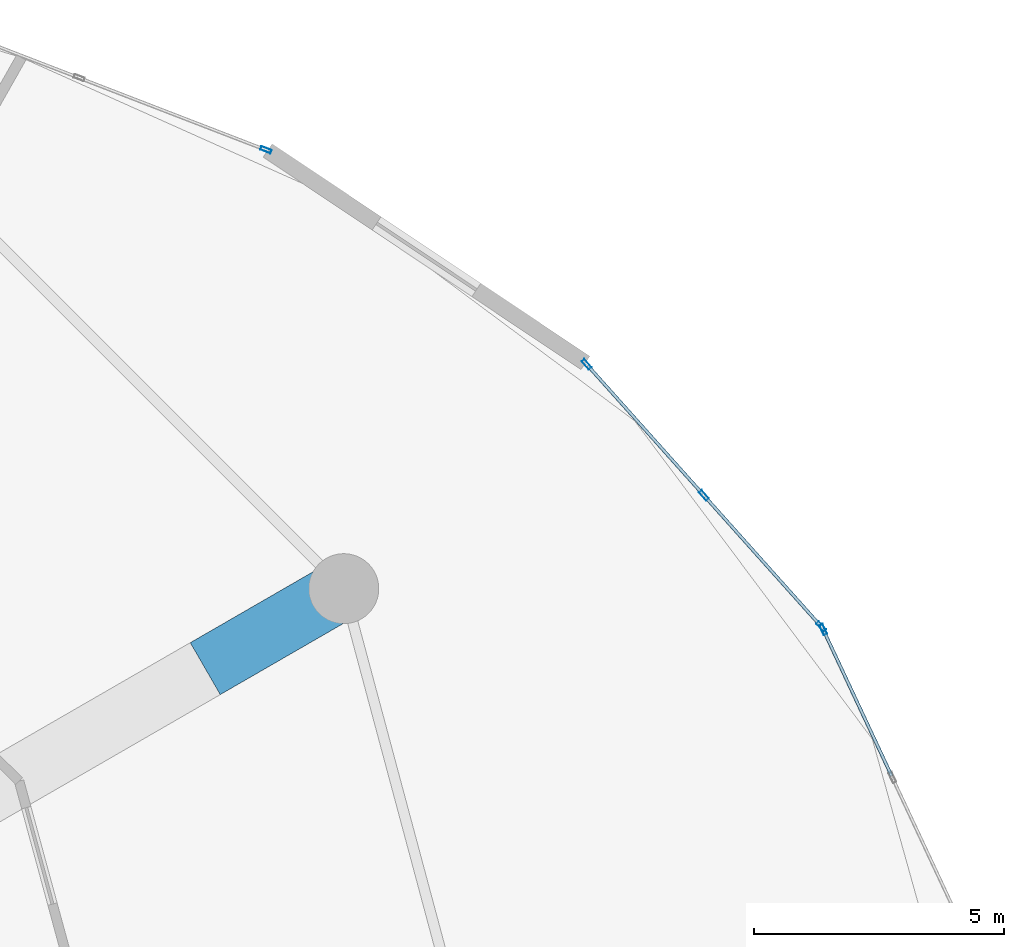
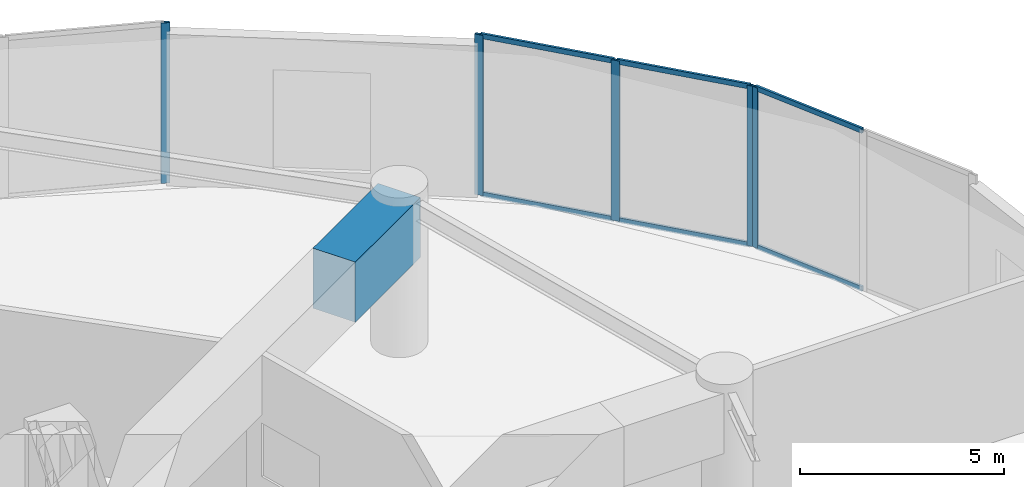
# One storey, part 19 of 27: 11 members, 1 beam, 3 elements without a shape of their own.
"""IFC4 building model written with IfcOpenShell, lengths in metres."""

from ifc_helpers import new_model, si_unit, direction, frame, origin, origin_2d, place, context, subcontext, project, spatial, rectangle, hollow_rectangle, extrude, source, transform, mapped, material, layer, layer_set, material_profile, profile_set, type_object, element, aggregate, save


model = new_model("IFC4")

# Units and contexts
model_context = context("Model", 3, precision=1e-05, world=origin(), true_north=direction((0.0, 1.0)))
body_context = subcontext(model_context, "Body", "Model", "MODEL_VIEW")
ifc_project = project(units=[si_unit("LENGTHUNIT", "METRE"), si_unit("AREAUNIT", "SQUARE_METRE"), si_unit("VOLUMEUNIT", "CUBIC_METRE"), si_unit("PLANEANGLEUNIT", "RADIAN"), si_unit("MASSUNIT", "GRAM", prefix="KILO")], contexts=[model_context])

# Site, building, storey
site_placement = place(None, origin())
site = spatial("IfcSite", under=ifc_project, at=site_placement, CompositionType="ELEMENT")
building_placement = place(site_placement, origin())
building = spatial("IfcBuilding", under=site, at=building_placement, Name="Solvirekh Grand Hotel", CompositionType="ELEMENT")
storey_placement = place(building_placement, frame((0.0, 0.0, 23.60009765625)))
storey = spatial("IfcBuildingStorey", under=building, at=storey_placement, Name="L04", CompositionType="ELEMENT", Elevation=23.60009765625)

# Beam
ifc_material_1 = material(Name="Concrete C60/75", Category="concrete")
ifc_material_profile_1 = material_profile(ifc_material_1, rectangle(XDim=1.199951171875, YDim=1.800048828125, at=origin_2d()), Name="RC GIRDER 1200X1800")
ifc_profile_set_1 = profile_set([ifc_material_profile_1], Name="Concrete C60/75")
beam_type = type_object("IfcBeamType", Name="TransferGirder_RC1800", PredefinedType="USERDEFINED", material=ifc_profile_set_1)
beam_placement = place(storey_placement, frame((16.10791015625, 9.300048828125, 3.639892578125), z_axis=(0.866022944154, 0.50000426018, 0.0), x_axis=(-0.50000426018, 0.866022944154, 0.0)))
element("IfcBeam", 1, at=beam_placement, inside=storey, type_object=beam_type, Name="L04 outer radial transfer girder 2B", ObjectType="TRANSFER GIRDER", PredefinedType="USERDEFINED", context=body_context, shape_type="SweptSolid", body=[
    extrude(rectangle(XDim=1.199951171875, YDim=1.800048828125, at=origin_2d()), origin(), (0.0, 0.0, 1.0), 3.19970703125),
])

# Curtain wall, members
ifc_material_2 = material(Name="Anodized Bronze Aluminium 6063-T6", Category="aluminium")
ifc_layer = layer(ifc_material_2, 0.219970703125)
ifc_layer_set = layer_set([ifc_layer], Name="Anodized Bronze Aluminium 6063-T6")
curtain_wall_type = type_object("IfcCurtainWallType", Name="CW_Sys1_PodiumBronzeUnitised", PredefinedType="NOTDEFINED", material=ifc_layer_set)
curtain_wall_1_placement = place(storey_placement, origin())
curtain_wall_1 = element("IfcCurtainWall", 2, at=curtain_wall_1_placement, inside=storey, type_object=curtain_wall_type, Name="L04 unitised bronze-glass curtain wall CW-L04-C02", PredefinedType="NOTDEFINED")
ifc_material_profile_2 = material_profile(ifc_material_2, hollow_rectangle(XDim=0.06494140625, YDim=0.14990234375, WallThickness=0.0048828125, at=origin_2d()), Name="ALU RHS 150X65X5")
ifc_profile_set_2 = profile_set([ifc_material_profile_2], Name="Anodized Bronze Aluminium 6063-T6")
member_type_1 = type_object("IfcMemberType", Name="CWTransom_Sys1", PredefinedType="USERDEFINED", material=ifc_profile_set_2)
shared_shape_1 = source(origin(), body_context, "Body", "SweptSolid", [
    extrude(hollow_rectangle(XDim=0.06494140625, YDim=0.14990234375, WallThickness=0.0048828125, at=origin_2d()), origin(), (0.0, 0.0, 1.0), 3.193603515625),
])
member_1_placement = place(storey_placement, frame((29.839111328125, 7.156494140625, 0.032470703125), z_axis=(-0.423759974185, 0.905774521765, 0.0), x_axis=(-0.905774521765, -0.423759974185, 0.0)))
member_1 = element("IfcMember", 3, at=member_1_placement, type_object=member_type_1, Name="U01 transom 2.1", ObjectType="TRANSOM", PredefinedType="USERDEFINED", context=body_context, shape_type="MappedRepresentation", body=[
    mapped(shared_shape_1, transform((0.0, 0.0, 0.0), x_axis=(1.0, 0.0, 0.0), y_axis=(0.0, 1.0, 0.0), z_axis=(0.0, 0.0, 1.0), scale=1.0)),
])
member_2_placement = place(storey_placement, frame((29.839111328125, 7.156494140625, 4.767333984375), z_axis=(-0.423759974185, 0.905774521765, 0.0), x_axis=(-0.905774521765, -0.423759974185, 0.0)))
member_2 = element("IfcMember", 4, at=member_2_placement, type_object=member_type_1, Name="U01 transom 2.2", ObjectType="TRANSOM", PredefinedType="USERDEFINED", context=body_context, shape_type="MappedRepresentation", body=[
    mapped(shared_shape_1, transform((0.0, 0.0, 0.0), x_axis=(1.0, 0.0, 0.0), y_axis=(0.0, 1.0, 0.0), z_axis=(0.0, 0.0, 1.0), scale=1.0)),
])

curtain_wall_2_placement = place(storey_placement, origin())
curtain_wall_2 = element("IfcCurtainWall", 5, at=curtain_wall_2_placement, inside=storey, type_object=curtain_wall_type, Name="L04 unitised bronze-glass curtain wall CW-L04-C03", PredefinedType="NOTDEFINED")
shared_shape_2 = source(origin(), body_context, "Body", "SweptSolid", [
    extrude(hollow_rectangle(XDim=0.06494140625, YDim=0.14990234375, WallThickness=0.0048828125, at=origin_2d()), origin(), (0.0, 0.0, 1.0), 3.443115234375),
])
member_3_placement = place(storey_placement, frame((28.404052734375, 10.1728515625, 0.032470703125), z_axis=(-0.666732677709, 0.745296945167, 0.0), x_axis=(-0.745296945167, -0.666732677709, 0.0)))
member_3 = element("IfcMember", 6, at=member_3_placement, type_object=member_type_1, Name="U01 transom 1.1", ObjectType="TRANSOM", PredefinedType="USERDEFINED", context=body_context, shape_type="MappedRepresentation", body=[
    mapped(shared_shape_2, transform((0.0, 0.0, 0.0), x_axis=(1.0, 0.0, 0.0), y_axis=(0.0, 1.0, 0.0), z_axis=(0.0, 0.0, 1.0), scale=1.0)),
])
member_4_placement = place(storey_placement, frame((28.404052734375, 10.1728515625, 4.767333984375), z_axis=(-0.666732677709, 0.745296945167, 0.0), x_axis=(-0.745296945167, -0.666732677709, 0.0)))
member_4 = element("IfcMember", 7, at=member_4_placement, type_object=member_type_1, Name="U01 transom 1.2", ObjectType="TRANSOM", PredefinedType="USERDEFINED", context=body_context, shape_type="MappedRepresentation", body=[
    mapped(shared_shape_2, transform((0.0, 0.0, 0.0), x_axis=(1.0, 0.0, 0.0), y_axis=(0.0, 1.0, 0.0), z_axis=(0.0, 0.0, 1.0), scale=1.0)),
])
member_5_placement = place(storey_placement, frame((26.05859375, 12.794921875, 0.032470703125), z_axis=(-0.666732677709, 0.745296945167, 0.0), x_axis=(-0.745296945167, -0.666732677709, 0.0)))
member_5 = element("IfcMember", 8, at=member_5_placement, type_object=member_type_1, Name="U01 transom 2.1", ObjectType="TRANSOM", PredefinedType="USERDEFINED", context=body_context, shape_type="MappedRepresentation", body=[
    mapped(shared_shape_2, transform((0.0, 0.0, 0.0), x_axis=(1.0, 0.0, 0.0), y_axis=(0.0, 1.0, 0.0), z_axis=(0.0, 0.0, 1.0), scale=1.0)),
])
member_6_placement = place(storey_placement, frame((26.05859375, 12.794921875, 4.767333984375), z_axis=(-0.666732677709, 0.745296945167, 0.0), x_axis=(-0.745296945167, -0.666732677709, 0.0)))
member_6 = element("IfcMember", 9, at=member_6_placement, type_object=member_type_1, Name="U01 transom 2.2", ObjectType="TRANSOM", PredefinedType="USERDEFINED", context=body_context, shape_type="MappedRepresentation", body=[
    mapped(shared_shape_2, transform((0.0, 0.0, 0.0), x_axis=(1.0, 0.0, 0.0), y_axis=(0.0, 1.0, 0.0), z_axis=(0.0, 0.0, 1.0), scale=1.0)),
])

# Member
ifc_material_profile_3 = material_profile(ifc_material_2, hollow_rectangle(XDim=0.074951171875, YDim=0.219970703125, WallThickness=0.006103515625, at=origin_2d()), Name="ALU RHS 220X75X6")
ifc_profile_set_3 = profile_set([ifc_material_profile_3], Name="Anodized Bronze Aluminium 6063-T6")
member_type_2 = type_object("IfcMemberType", Name="CWMullion_Sys1", PredefinedType="MULLION", material=ifc_profile_set_3)
shared_shape_3 = source(origin(), body_context, "Body", "SweptSolid", [
    extrude(hollow_rectangle(XDim=0.074951171875, YDim=0.219970703125, WallThickness=0.006103515625, at=origin_2d()), origin(), (0.0, 0.0, 1.0), 4.7998046875),
])
member_7_placement = place(storey_placement, frame((28.469970703125, 10.0830078125, 0.0), z_axis=(0.0, 0.0, 1.0), x_axis=(-0.905769284049, -0.42377116947, 0.0)))
member_7 = element("IfcMember", 10, at=member_7_placement, type_object=member_type_2, Name="U01 mullion 3", PredefinedType="MULLION", context=body_context, shape_type="MappedRepresentation", body=[
    mapped(shared_shape_3, transform((0.0, 0.0, 0.0), x_axis=(1.0, 0.0, 0.0), y_axis=(0.0, 1.0, 0.0), z_axis=(0.0, 0.0, 1.0), scale=1.0)),
])

aggregate(curtain_wall_1, [member_7, member_1, member_2])

member_8_placement = place(storey_placement, frame((28.428955078125, 10.14501953125, 0.0), z_axis=(0.0, 0.0, 1.0), x_axis=(-0.745318544724, -0.666708532187, 0.0)))
member_8 = element("IfcMember", 11, at=member_8_placement, type_object=member_type_2, Name="U01 mullion 1", PredefinedType="MULLION", context=body_context, shape_type="MappedRepresentation", body=[
    mapped(shared_shape_3, transform((0.0, 0.0, 0.0), x_axis=(1.0, 0.0, 0.0), y_axis=(0.0, 1.0, 0.0), z_axis=(0.0, 0.0, 1.0), scale=1.0)),
])

member_9_placement = place(storey_placement, frame((26.08349609375, 12.76708984375, 0.0), z_axis=(0.0, 0.0, 1.0), x_axis=(-0.745318544724, -0.666708532187, 0.0)))
member_9 = element("IfcMember", 12, at=member_9_placement, type_object=member_type_2, Name="U01 mullion 2", PredefinedType="MULLION", context=body_context, shape_type="MappedRepresentation", body=[
    mapped(shared_shape_3, transform((0.0, 0.0, 0.0), x_axis=(1.0, 0.0, 0.0), y_axis=(0.0, 1.0, 0.0), z_axis=(0.0, 0.0, 1.0), scale=1.0)),
])

member_10_placement = place(storey_placement, frame((23.738037109375, 15.38916015625, 0.0), z_axis=(0.0, 0.0, 1.0), x_axis=(-0.745318544724, -0.666708532187, 0.0)))
member_10 = element("IfcMember", 13, at=member_10_placement, type_object=member_type_2, Name="U01 mullion 3", PredefinedType="MULLION", context=body_context, shape_type="MappedRepresentation", body=[
    mapped(shared_shape_3, transform((0.0, 0.0, 0.0), x_axis=(1.0, 0.0, 0.0), y_axis=(0.0, 1.0, 0.0), z_axis=(0.0, 0.0, 1.0), scale=1.0)),
])

aggregate(curtain_wall_2, [member_8, member_9, member_10, member_3, member_4, member_5, member_6])

# Curtain wall, member
curtain_wall_3_placement = place(storey_placement, origin())
curtain_wall_3 = element("IfcCurtainWall", 14, at=curtain_wall_3_placement, inside=storey, type_object=curtain_wall_type, Name="L04 unitised bronze-glass curtain wall CW-L04-C05", PredefinedType="NOTDEFINED")
member_11_placement = place(storey_placement, frame((17.321044921875, 19.679443359375, 0.0), z_axis=(0.0, 0.0, 1.0), x_axis=(-0.360056701252, -0.93293042178, 0.0)))
member_11 = element("IfcMember", 15, at=member_11_placement, type_object=member_type_2, Name="U01 mullion 1", PredefinedType="MULLION", context=body_context, shape_type="MappedRepresentation", body=[
    mapped(shared_shape_3, transform((0.0, 0.0, 0.0), x_axis=(1.0, 0.0, 0.0), y_axis=(0.0, 1.0, 0.0), z_axis=(0.0, 0.0, 1.0), scale=1.0)),
])
aggregate(curtain_wall_3, [member_11])

save(model, "model.ifc")
